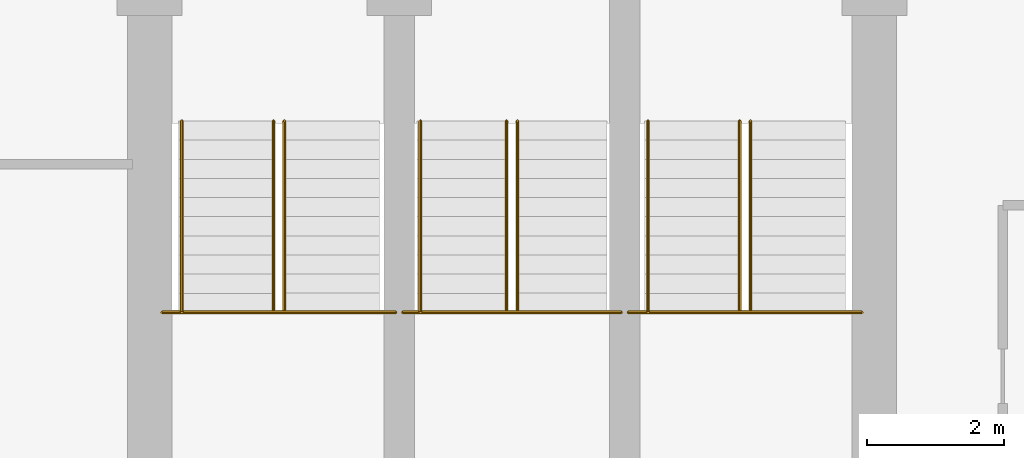
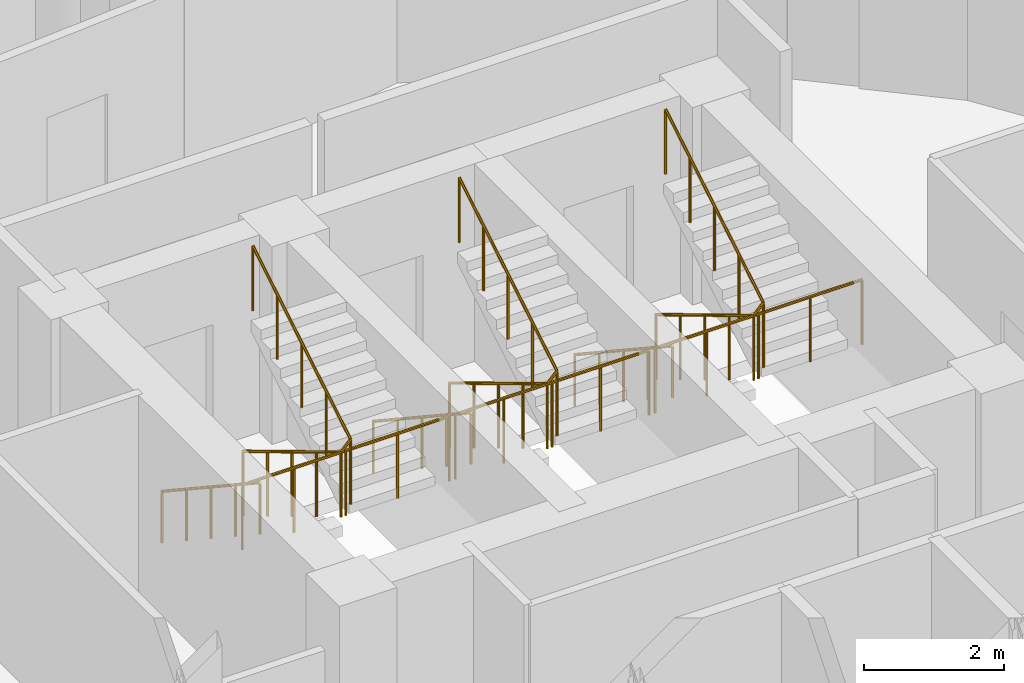
# One storey, part 26 of 26: 9 railings.
"""IFC4 building model written with IfcOpenShell, lengths in metres."""

from ifc_helpers import new_model, si_unit, direction, frame, origin, place, context, subcontext, project, spatial, polyline, outline, extrude, material, type_object, element, save


model = new_model("IFC4")

# Units and contexts
model_context = context("Model", 3, precision=1e-05, world=origin(), true_north=direction((0.0, 1.0)))
body_context = subcontext(model_context, "Body", "Model", "MODEL_VIEW")
ifc_project = project(units=[si_unit("LENGTHUNIT", "METRE"), si_unit("AREAUNIT", "SQUARE_METRE"), si_unit("VOLUMEUNIT", "CUBIC_METRE"), si_unit("PLANEANGLEUNIT", "RADIAN"), si_unit("MASSUNIT", "GRAM", prefix="KILO")], contexts=[model_context])

# Site, building, storey
site_placement = place(None, origin())
site = spatial("IfcSite", under=ifc_project, at=site_placement, CompositionType="ELEMENT")
building_placement = place(site_placement, origin())
building = spatial("IfcBuilding", under=site, at=building_placement, Name="Nuhasar Tower", CompositionType="ELEMENT")
storey_placement = place(building_placement, frame((0.0, 0.0, 151.550048828125)))
storey = spatial("IfcBuildingStorey", under=building, at=storey_placement, Name="L36", CompositionType="ELEMENT", Elevation=151.550048828125)

# Railings
ifc_material_1 = material(Name="Steel S355", Category="steel")
railing_type_1 = type_object("IfcRailingType", Name="RLG-STAIR-GUARD-1150", PredefinedType="GUARDRAIL", material=ifc_material_1)
railing_1_placement = place(storey_placement, frame((33.8798828125, 32.485107421875, 1.849853515625)))
element("IfcRailing", 1, at=railing_1_placement, inside=storey, type_object=railing_type_1, Name="L36 Stair ST-01 Guardrail LND", PredefinedType="GUARDRAIL", context=body_context, shape_type="SweptSolid", body=[
    extrude(outline(polyline([(0.024169921875, 0.0), (0.01708984375, 0.01708984375), (0.0, 0.024169921875), (-0.01708984375, 0.01708984375), (-0.024169921875, 0.0), (-0.01708984375, -0.01708984375), (0.0, -0.024169921875), (0.01708984375, -0.01708984375), (0.024169921875, 0.0)])), frame((0.0, 0.0, 1.1259765625), z_axis=(1.0, 0.0, 0.0), x_axis=(0.0, 1.0, 0.0)), (0.0, 0.0, 1.0), 3.420166015625),
    extrude(outline(polyline([(0.02099609375, 0.0), (0.014892578125, 0.014892578125), (0.0, 0.02099609375), (-0.014892578125, 0.014892578125), (-0.02099609375, 0.0), (-0.014892578125, -0.014892578125), (0.0, -0.02099609375), (0.014892578125, -0.014892578125), (0.02099609375, 0.0)])), origin(), (0.0, 0.0, 1.0), 1.101806640625),
    extrude(outline(polyline([(0.02099609375, 0.0), (0.014892578125, 0.014892578125), (0.0, 0.02099609375), (-0.014892578125, 0.014892578125), (-0.02099609375, 0.0), (-0.014892578125, -0.014892578125), (0.0, -0.02099609375), (0.014892578125, -0.014892578125), (0.02099609375, 0.0)])), frame((0.85498046875, 0.0, 0.0)), (0.0, 0.0, 1.0), 1.101806640625),
    extrude(outline(polyline([(0.02099609375, 0.0), (0.014892578125, 0.014892578125), (0.0, 0.02099609375), (-0.014892578125, 0.014892578125), (-0.02099609375, 0.0), (-0.014892578125, -0.014892578125), (0.0, -0.02099609375), (0.014892578125, -0.014892578125), (0.02099609375, 0.0)])), frame((1.7099609375, 0.0, 0.0)), (0.0, 0.0, 1.0), 1.101806640625),
    extrude(outline(polyline([(0.02099609375, 0.0), (0.014892578125, 0.014892578125), (0.0, 0.02099609375), (-0.014892578125, 0.014892578125), (-0.02099609375, 0.0), (-0.014892578125, -0.014892578125), (0.0, -0.02099609375), (0.014892578125, -0.014892578125), (0.02099609375, 0.0)])), frame((2.565185546875, 0.0, 0.0)), (0.0, 0.0, 1.0), 1.101806640625),
    extrude(outline(polyline([(0.02099609375, 0.0), (0.014892578125, 0.014892578125), (0.0, 0.02099609375), (-0.014892578125, 0.014892578125), (-0.02099609375, 0.0), (-0.014892578125, -0.014892578125), (0.0, -0.02099609375), (0.014892578125, -0.014892578125), (0.02099609375, 0.0)])), frame((3.420166015625, 0.0, 0.0)), (0.0, 0.0, 1.0), 1.101806640625),
])
railing_2_placement = place(storey_placement, frame((35.510009765625, 35.284912109375, 0.16796875)))
element("IfcRailing", 2, at=railing_2_placement, inside=storey, type_object=railing_type_1, Name="L36 Stair ST-01 Guardrail SLT", PredefinedType="GUARDRAIL", context=body_context, shape_type="SweptSolid", body=[
    extrude(outline(polyline([(0.024169921875, 0.0), (0.01708984375, 0.01708984375), (0.0, 0.024169921875), (-0.01708984375, 0.01708984375), (-0.024169921875, 0.0), (-0.01708984375, -0.01708984375), (0.0, -0.024169921875), (0.01708984375, -0.01708984375), (0.024169921875, 0.0)])), frame((0.0, 0.0, 1.1259765625), z_axis=(0.0, -0.857222391501, 0.514946377315), x_axis=(1.0, 0.0, 0.0)), (0.0, 0.0, 1.0), 3.26611328125),
    extrude(outline(polyline([(0.024169921875, 0.0), (0.01708984375, 0.01708984375), (0.0, 0.024169921875), (-0.01708984375, 0.01708984375), (-0.024169921875, 0.0), (-0.01708984375, -0.01708984375), (0.0, -0.024169921875), (0.01708984375, -0.01708984375), (0.024169921875, 0.0)])), frame((0.0, -2.7998046875, 2.8076171875), z_axis=(0.688998229536, 0.0, 0.72476302313), x_axis=(0.0, 1.0, 0.0)), (0.0, 0.0, 1.0), 0.232177734375),
    extrude(outline(polyline([(0.024169921875, 0.0), (0.01708984375, 0.01708984375), (0.0, 0.024169921875), (-0.01708984375, 0.01708984375), (-0.024169921875, 0.0), (-0.01708984375, -0.01708984375), (0.0, -0.024169921875), (0.01708984375, -0.01708984375), (0.024169921875, 0.0)])), frame((0.159912109375, -2.7998046875, 2.97607421875), z_axis=(0.0, 0.857222391501, 0.514946377315), x_axis=(-1.0, 0.0, 0.0)), (0.0, 0.0, 1.0), 3.26611328125),
    extrude(outline(polyline([(0.02099609375, 0.0), (0.014892578125, 0.014892578125), (0.0, 0.02099609375), (-0.014892578125, 0.014892578125), (-0.02099609375, 0.0), (-0.014892578125, -0.014892578125), (0.0, -0.02099609375), (0.014892578125, -0.014892578125), (0.02099609375, 0.0)])), origin(), (0.0, 0.0, 1.0), 1.101806640625),
    extrude(outline(polyline([(0.02099609375, 0.0), (0.014892578125, 0.014892578125), (0.0, 0.02099609375), (-0.014892578125, 0.014892578125), (-0.02099609375, 0.0), (-0.014892578125, -0.014892578125), (0.0, -0.02099609375), (0.014892578125, -0.014892578125), (0.02099609375, 0.0)])), frame((0.0, -0.699951171875, 0.42041015625)), (0.0, 0.0, 1.0), 1.101806640625),
    extrude(outline(polyline([(0.02099609375, 0.0), (0.014892578125, 0.014892578125), (0.0, 0.02099609375), (-0.014892578125, 0.014892578125), (-0.02099609375, 0.0), (-0.014892578125, -0.014892578125), (0.0, -0.02099609375), (0.014892578125, -0.014892578125), (0.02099609375, 0.0)])), frame((0.0, -1.39990234375, 0.8408203125)), (0.0, 0.0, 1.0), 1.101806640625),
    extrude(outline(polyline([(0.02099609375, 0.0), (0.014892578125, 0.014892578125), (0.0, 0.02099609375), (-0.014892578125, 0.014892578125), (-0.02099609375, 0.0), (-0.014892578125, -0.014892578125), (0.0, -0.02099609375), (0.014892578125, -0.014892578125), (0.02099609375, 0.0)])), frame((0.0, -2.099853515625, 1.261474609375)), (0.0, 0.0, 1.0), 1.101806640625),
    extrude(outline(polyline([(0.02099609375, 0.0), (0.014892578125, 0.014892578125), (0.0, 0.02099609375), (-0.014892578125, 0.014892578125), (-0.02099609375, 0.0), (-0.014892578125, -0.014892578125), (0.0, -0.02099609375), (0.014892578125, -0.014892578125), (0.02099609375, 0.0)])), frame((0.0, -2.7998046875, 1.681884765625)), (0.0, 0.0, 1.0), 1.101806640625),
    extrude(outline(polyline([(0.02099609375, 0.0), (0.014892578125, 0.014892578125), (0.0, 0.02099609375), (-0.014892578125, 0.014892578125), (-0.02099609375, 0.0), (-0.014892578125, -0.014892578125), (0.0, -0.02099609375), (0.014892578125, -0.014892578125), (0.02099609375, 0.0)])), frame((0.159912109375, -2.7998046875, 1.85009765625)), (0.0, 0.0, 1.0), 1.101806640625),
    extrude(outline(polyline([(0.02099609375, 0.0), (0.014892578125, 0.014892578125), (0.0, 0.02099609375), (-0.014892578125, 0.014892578125), (-0.02099609375, 0.0), (-0.014892578125, -0.014892578125), (0.0, -0.02099609375), (0.014892578125, -0.014892578125), (0.02099609375, 0.0)])), frame((0.159912109375, -2.099853515625, 2.2705078125)), (0.0, 0.0, 1.0), 1.101806640625),
    extrude(outline(polyline([(0.02099609375, 0.0), (0.014892578125, 0.014892578125), (0.0, 0.02099609375), (-0.014892578125, 0.014892578125), (-0.02099609375, 0.0), (-0.014892578125, -0.014892578125), (0.0, -0.02099609375), (0.014892578125, -0.014892578125), (0.02099609375, 0.0)])), frame((0.159912109375, -1.39990234375, 2.69091796875)), (0.0, 0.0, 1.0), 1.101806640625),
    extrude(outline(polyline([(0.02099609375, 0.0), (0.014892578125, 0.014892578125), (0.0, 0.02099609375), (-0.014892578125, 0.014892578125), (-0.02099609375, 0.0), (-0.014892578125, -0.014892578125), (0.0, -0.02099609375), (0.014892578125, -0.014892578125), (0.02099609375, 0.0)])), frame((0.159912109375, -0.699951171875, 3.111572265625)), (0.0, 0.0, 1.0), 1.101806640625),
    extrude(outline(polyline([(0.02099609375, 0.0), (0.014892578125, 0.014892578125), (0.0, 0.02099609375), (-0.014892578125, 0.014892578125), (-0.02099609375, 0.0), (-0.014892578125, -0.014892578125), (0.0, -0.02099609375), (0.014892578125, -0.014892578125), (0.02099609375, 0.0)])), frame((0.159912109375, 0.0, 3.531982421875)), (0.0, 0.0, 1.0), 1.101806640625),
])
railing_3_placement = place(storey_placement, frame((37.39990234375, 32.485107421875, 1.849853515625)))
element("IfcRailing", 3, at=railing_3_placement, inside=storey, type_object=railing_type_1, Name="L36 Stair ST-03 Guardrail LND", PredefinedType="GUARDRAIL", context=body_context, shape_type="SweptSolid", body=[
    extrude(outline(polyline([(0.024169921875, 0.0), (0.01708984375, 0.01708984375), (0.0, 0.024169921875), (-0.01708984375, 0.01708984375), (-0.024169921875, 0.0), (-0.01708984375, -0.01708984375), (0.0, -0.024169921875), (0.01708984375, -0.01708984375), (0.024169921875, 0.0)])), frame((0.0, 0.0, 1.1259765625), z_axis=(1.0, 0.0, 0.0), x_axis=(0.0, 1.0, 0.0)), (0.0, 0.0, 1.0), 3.2001953125),
    extrude(outline(polyline([(0.02099609375, 0.0), (0.014892578125, 0.014892578125), (0.0, 0.02099609375), (-0.014892578125, 0.014892578125), (-0.02099609375, 0.0), (-0.014892578125, -0.014892578125), (0.0, -0.02099609375), (0.014892578125, -0.014892578125), (0.02099609375, 0.0)])), origin(), (0.0, 0.0, 1.0), 1.101806640625),
    extrude(outline(polyline([(0.02099609375, 0.0), (0.014892578125, 0.014892578125), (0.0, 0.02099609375), (-0.014892578125, 0.014892578125), (-0.02099609375, 0.0), (-0.014892578125, -0.014892578125), (0.0, -0.02099609375), (0.014892578125, -0.014892578125), (0.02099609375, 0.0)])), frame((0.800048828125, 0.0, 0.0)), (0.0, 0.0, 1.0), 1.101806640625),
    extrude(outline(polyline([(0.02099609375, 0.0), (0.014892578125, 0.014892578125), (0.0, 0.02099609375), (-0.014892578125, 0.014892578125), (-0.02099609375, 0.0), (-0.014892578125, -0.014892578125), (0.0, -0.02099609375), (0.014892578125, -0.014892578125), (0.02099609375, 0.0)])), frame((1.60009765625, 0.0, 0.0)), (0.0, 0.0, 1.0), 1.101806640625),
    extrude(outline(polyline([(0.02099609375, 0.0), (0.014892578125, 0.014892578125), (0.0, 0.02099609375), (-0.014892578125, 0.014892578125), (-0.02099609375, 0.0), (-0.014892578125, -0.014892578125), (0.0, -0.02099609375), (0.014892578125, -0.014892578125), (0.02099609375, 0.0)])), frame((2.400146484375, 0.0, 0.0)), (0.0, 0.0, 1.0), 1.101806640625),
    extrude(outline(polyline([(0.02099609375, 0.0), (0.014892578125, 0.014892578125), (0.0, 0.02099609375), (-0.014892578125, 0.014892578125), (-0.02099609375, 0.0), (-0.014892578125, -0.014892578125), (0.0, -0.02099609375), (0.014892578125, -0.014892578125), (0.02099609375, 0.0)])), frame((3.2001953125, 0.0, 0.0)), (0.0, 0.0, 1.0), 1.101806640625),
])
railing_4_placement = place(storey_placement, frame((38.919921875, 35.284912109375, 0.16796875)))
element("IfcRailing", 4, at=railing_4_placement, inside=storey, type_object=railing_type_1, Name="L36 Stair ST-03 Guardrail SLT", PredefinedType="GUARDRAIL", context=body_context, shape_type="SweptSolid", body=[
    extrude(outline(polyline([(0.024169921875, 0.0), (0.01708984375, 0.01708984375), (0.0, 0.024169921875), (-0.01708984375, 0.01708984375), (-0.024169921875, 0.0), (-0.01708984375, -0.01708984375), (0.0, -0.024169921875), (0.01708984375, -0.01708984375), (0.024169921875, 0.0)])), frame((0.0, 0.0, 1.1259765625), z_axis=(0.0, -0.857222391501, 0.514946377315), x_axis=(1.0, 0.0, 0.0)), (0.0, 0.0, 1.0), 3.26611328125),
    extrude(outline(polyline([(0.024169921875, 0.0), (0.01708984375, 0.01708984375), (0.0, 0.024169921875), (-0.01708984375, 0.01708984375), (-0.024169921875, 0.0), (-0.01708984375, -0.01708984375), (0.0, -0.024169921875), (0.01708984375, -0.01708984375), (0.024169921875, 0.0)])), frame((0.0, -2.7998046875, 2.8076171875), z_axis=(0.689550175797, 0.0, 0.724237913298), x_axis=(0.0, 1.0, 0.0)), (0.0, 0.0, 1.0), 0.232177734375),
    extrude(outline(polyline([(0.024169921875, 0.0), (0.01708984375, 0.01708984375), (0.0, 0.024169921875), (-0.01708984375, 0.01708984375), (-0.024169921875, 0.0), (-0.01708984375, -0.01708984375), (0.0, -0.024169921875), (0.01708984375, -0.01708984375), (0.024169921875, 0.0)])), frame((0.16015625, -2.7998046875, 2.97607421875), z_axis=(0.0, 0.857222391501, 0.514946377315), x_axis=(-1.0, 0.0, 0.0)), (0.0, 0.0, 1.0), 3.26611328125),
    extrude(outline(polyline([(0.02099609375, 0.0), (0.014892578125, 0.014892578125), (0.0, 0.02099609375), (-0.014892578125, 0.014892578125), (-0.02099609375, 0.0), (-0.014892578125, -0.014892578125), (0.0, -0.02099609375), (0.014892578125, -0.014892578125), (0.02099609375, 0.0)])), origin(), (0.0, 0.0, 1.0), 1.101806640625),
    extrude(outline(polyline([(0.02099609375, 0.0), (0.014892578125, 0.014892578125), (0.0, 0.02099609375), (-0.014892578125, 0.014892578125), (-0.02099609375, 0.0), (-0.014892578125, -0.014892578125), (0.0, -0.02099609375), (0.014892578125, -0.014892578125), (0.02099609375, 0.0)])), frame((0.0, -0.699951171875, 0.42041015625)), (0.0, 0.0, 1.0), 1.101806640625),
    extrude(outline(polyline([(0.02099609375, 0.0), (0.014892578125, 0.014892578125), (0.0, 0.02099609375), (-0.014892578125, 0.014892578125), (-0.02099609375, 0.0), (-0.014892578125, -0.014892578125), (0.0, -0.02099609375), (0.014892578125, -0.014892578125), (0.02099609375, 0.0)])), frame((0.0, -1.39990234375, 0.8408203125)), (0.0, 0.0, 1.0), 1.101806640625),
    extrude(outline(polyline([(0.02099609375, 0.0), (0.014892578125, 0.014892578125), (0.0, 0.02099609375), (-0.014892578125, 0.014892578125), (-0.02099609375, 0.0), (-0.014892578125, -0.014892578125), (0.0, -0.02099609375), (0.014892578125, -0.014892578125), (0.02099609375, 0.0)])), frame((0.0, -2.099853515625, 1.261474609375)), (0.0, 0.0, 1.0), 1.101806640625),
    extrude(outline(polyline([(0.02099609375, 0.0), (0.014892578125, 0.014892578125), (0.0, 0.02099609375), (-0.014892578125, 0.014892578125), (-0.02099609375, 0.0), (-0.014892578125, -0.014892578125), (0.0, -0.02099609375), (0.014892578125, -0.014892578125), (0.02099609375, 0.0)])), frame((0.0, -2.7998046875, 1.681884765625)), (0.0, 0.0, 1.0), 1.101806640625),
    extrude(outline(polyline([(0.02099609375, 0.0), (0.014892578125, 0.014892578125), (0.0, 0.02099609375), (-0.014892578125, 0.014892578125), (-0.02099609375, 0.0), (-0.014892578125, -0.014892578125), (0.0, -0.02099609375), (0.014892578125, -0.014892578125), (0.02099609375, 0.0)])), frame((0.16015625, -2.7998046875, 1.85009765625)), (0.0, 0.0, 1.0), 1.101806640625),
    extrude(outline(polyline([(0.02099609375, 0.0), (0.014892578125, 0.014892578125), (0.0, 0.02099609375), (-0.014892578125, 0.014892578125), (-0.02099609375, 0.0), (-0.014892578125, -0.014892578125), (0.0, -0.02099609375), (0.014892578125, -0.014892578125), (0.02099609375, 0.0)])), frame((0.16015625, -2.099853515625, 2.2705078125)), (0.0, 0.0, 1.0), 1.101806640625),
    extrude(outline(polyline([(0.02099609375, 0.0), (0.014892578125, 0.014892578125), (0.0, 0.02099609375), (-0.014892578125, 0.014892578125), (-0.02099609375, 0.0), (-0.014892578125, -0.014892578125), (0.0, -0.02099609375), (0.014892578125, -0.014892578125), (0.02099609375, 0.0)])), frame((0.16015625, -1.39990234375, 2.69091796875)), (0.0, 0.0, 1.0), 1.101806640625),
    extrude(outline(polyline([(0.02099609375, 0.0), (0.014892578125, 0.014892578125), (0.0, 0.02099609375), (-0.014892578125, 0.014892578125), (-0.02099609375, 0.0), (-0.014892578125, -0.014892578125), (0.0, -0.02099609375), (0.014892578125, -0.014892578125), (0.02099609375, 0.0)])), frame((0.16015625, -0.699951171875, 3.111572265625)), (0.0, 0.0, 1.0), 1.101806640625),
    extrude(outline(polyline([(0.02099609375, 0.0), (0.014892578125, 0.014892578125), (0.0, 0.02099609375), (-0.014892578125, 0.014892578125), (-0.02099609375, 0.0), (-0.014892578125, -0.014892578125), (0.0, -0.02099609375), (0.014892578125, -0.014892578125), (0.02099609375, 0.0)])), frame((0.16015625, 0.0, 3.531982421875)), (0.0, 0.0, 1.0), 1.101806640625),
])
railing_5_placement = place(storey_placement, frame((40.699951171875, 32.485107421875, 1.849853515625)))
element("IfcRailing", 5, at=railing_5_placement, inside=storey, type_object=railing_type_1, Name="L36 Stair ST-02 Guardrail LND", PredefinedType="GUARDRAIL", context=body_context, shape_type="SweptSolid", body=[
    extrude(outline(polyline([(0.024169921875, 0.0), (0.01708984375, 0.01708984375), (0.0, 0.024169921875), (-0.01708984375, 0.01708984375), (-0.024169921875, 0.0), (-0.01708984375, -0.01708984375), (0.0, -0.024169921875), (0.01708984375, -0.01708984375), (0.024169921875, 0.0)])), frame((0.0, 0.0, 1.1259765625), z_axis=(1.0, 0.0, 0.0), x_axis=(0.0, 1.0, 0.0)), (0.0, 0.0, 1.0), 3.420166015625),
    extrude(outline(polyline([(0.02099609375, 0.0), (0.014892578125, 0.014892578125), (0.0, 0.02099609375), (-0.014892578125, 0.014892578125), (-0.02099609375, 0.0), (-0.014892578125, -0.014892578125), (0.0, -0.02099609375), (0.014892578125, -0.014892578125), (0.02099609375, 0.0)])), origin(), (0.0, 0.0, 1.0), 1.101806640625),
    extrude(outline(polyline([(0.02099609375, 0.0), (0.014892578125, 0.014892578125), (0.0, 0.02099609375), (-0.014892578125, 0.014892578125), (-0.02099609375, 0.0), (-0.014892578125, -0.014892578125), (0.0, -0.02099609375), (0.014892578125, -0.014892578125), (0.02099609375, 0.0)])), frame((0.85498046875, 0.0, 0.0)), (0.0, 0.0, 1.0), 1.101806640625),
    extrude(outline(polyline([(0.02099609375, 0.0), (0.014892578125, 0.014892578125), (0.0, 0.02099609375), (-0.014892578125, 0.014892578125), (-0.02099609375, 0.0), (-0.014892578125, -0.014892578125), (0.0, -0.02099609375), (0.014892578125, -0.014892578125), (0.02099609375, 0.0)])), frame((1.7099609375, 0.0, 0.0)), (0.0, 0.0, 1.0), 1.101806640625),
    extrude(outline(polyline([(0.02099609375, 0.0), (0.014892578125, 0.014892578125), (0.0, 0.02099609375), (-0.014892578125, 0.014892578125), (-0.02099609375, 0.0), (-0.014892578125, -0.014892578125), (0.0, -0.02099609375), (0.014892578125, -0.014892578125), (0.02099609375, 0.0)])), frame((2.565185546875, 0.0, 0.0)), (0.0, 0.0, 1.0), 1.101806640625),
    extrude(outline(polyline([(0.02099609375, 0.0), (0.014892578125, 0.014892578125), (0.0, 0.02099609375), (-0.014892578125, 0.014892578125), (-0.02099609375, 0.0), (-0.014892578125, -0.014892578125), (0.0, -0.02099609375), (0.014892578125, -0.014892578125), (0.02099609375, 0.0)])), frame((3.420166015625, 0.0, 0.0)), (0.0, 0.0, 1.0), 1.101806640625),
])
railing_6_placement = place(storey_placement, frame((42.330078125, 35.284912109375, 0.16796875)))
element("IfcRailing", 6, at=railing_6_placement, inside=storey, type_object=railing_type_1, Name="L36 Stair ST-02 Guardrail SLT", PredefinedType="GUARDRAIL", context=body_context, shape_type="SweptSolid", body=[
    extrude(outline(polyline([(0.024169921875, 0.0), (0.01708984375, 0.01708984375), (0.0, 0.024169921875), (-0.01708984375, 0.01708984375), (-0.024169921875, 0.0), (-0.01708984375, -0.01708984375), (0.0, -0.024169921875), (0.01708984375, -0.01708984375), (0.024169921875, 0.0)])), frame((0.0, 0.0, 1.1259765625), z_axis=(0.0, -0.857222391501, 0.514946377315), x_axis=(1.0, 0.0, 0.0)), (0.0, 0.0, 1.0), 3.26611328125),
    extrude(outline(polyline([(0.024169921875, 0.0), (0.01708984375, 0.01708984375), (0.0, 0.024169921875), (-0.01708984375, 0.01708984375), (-0.024169921875, 0.0), (-0.01708984375, -0.01708984375), (0.0, -0.024169921875), (0.01708984375, -0.01708984375), (0.024169921875, 0.0)])), frame((0.0, -2.7998046875, 2.8076171875), z_axis=(0.688998229536, 0.0, 0.72476302313), x_axis=(0.0, 1.0, 0.0)), (0.0, 0.0, 1.0), 0.232177734375),
    extrude(outline(polyline([(0.024169921875, 0.0), (0.01708984375, 0.01708984375), (0.0, 0.024169921875), (-0.01708984375, 0.01708984375), (-0.024169921875, 0.0), (-0.01708984375, -0.01708984375), (0.0, -0.024169921875), (0.01708984375, -0.01708984375), (0.024169921875, 0.0)])), frame((0.159912109375, -2.7998046875, 2.97607421875), z_axis=(0.0, 0.857222391501, 0.514946377315), x_axis=(-1.0, 0.0, 0.0)), (0.0, 0.0, 1.0), 3.26611328125),
    extrude(outline(polyline([(0.02099609375, 0.0), (0.014892578125, 0.014892578125), (0.0, 0.02099609375), (-0.014892578125, 0.014892578125), (-0.02099609375, 0.0), (-0.014892578125, -0.014892578125), (0.0, -0.02099609375), (0.014892578125, -0.014892578125), (0.02099609375, 0.0)])), origin(), (0.0, 0.0, 1.0), 1.101806640625),
    extrude(outline(polyline([(0.02099609375, 0.0), (0.014892578125, 0.014892578125), (0.0, 0.02099609375), (-0.014892578125, 0.014892578125), (-0.02099609375, 0.0), (-0.014892578125, -0.014892578125), (0.0, -0.02099609375), (0.014892578125, -0.014892578125), (0.02099609375, 0.0)])), frame((0.0, -0.699951171875, 0.42041015625)), (0.0, 0.0, 1.0), 1.101806640625),
    extrude(outline(polyline([(0.02099609375, 0.0), (0.014892578125, 0.014892578125), (0.0, 0.02099609375), (-0.014892578125, 0.014892578125), (-0.02099609375, 0.0), (-0.014892578125, -0.014892578125), (0.0, -0.02099609375), (0.014892578125, -0.014892578125), (0.02099609375, 0.0)])), frame((0.0, -1.39990234375, 0.8408203125)), (0.0, 0.0, 1.0), 1.101806640625),
    extrude(outline(polyline([(0.02099609375, 0.0), (0.014892578125, 0.014892578125), (0.0, 0.02099609375), (-0.014892578125, 0.014892578125), (-0.02099609375, 0.0), (-0.014892578125, -0.014892578125), (0.0, -0.02099609375), (0.014892578125, -0.014892578125), (0.02099609375, 0.0)])), frame((0.0, -2.099853515625, 1.261474609375)), (0.0, 0.0, 1.0), 1.101806640625),
    extrude(outline(polyline([(0.02099609375, 0.0), (0.014892578125, 0.014892578125), (0.0, 0.02099609375), (-0.014892578125, 0.014892578125), (-0.02099609375, 0.0), (-0.014892578125, -0.014892578125), (0.0, -0.02099609375), (0.014892578125, -0.014892578125), (0.02099609375, 0.0)])), frame((0.0, -2.7998046875, 1.681884765625)), (0.0, 0.0, 1.0), 1.101806640625),
    extrude(outline(polyline([(0.02099609375, 0.0), (0.014892578125, 0.014892578125), (0.0, 0.02099609375), (-0.014892578125, 0.014892578125), (-0.02099609375, 0.0), (-0.014892578125, -0.014892578125), (0.0, -0.02099609375), (0.014892578125, -0.014892578125), (0.02099609375, 0.0)])), frame((0.159912109375, -2.7998046875, 1.85009765625)), (0.0, 0.0, 1.0), 1.101806640625),
    extrude(outline(polyline([(0.02099609375, 0.0), (0.014892578125, 0.014892578125), (0.0, 0.02099609375), (-0.014892578125, 0.014892578125), (-0.02099609375, 0.0), (-0.014892578125, -0.014892578125), (0.0, -0.02099609375), (0.014892578125, -0.014892578125), (0.02099609375, 0.0)])), frame((0.159912109375, -2.099853515625, 2.2705078125)), (0.0, 0.0, 1.0), 1.101806640625),
    extrude(outline(polyline([(0.02099609375, 0.0), (0.014892578125, 0.014892578125), (0.0, 0.02099609375), (-0.014892578125, 0.014892578125), (-0.02099609375, 0.0), (-0.014892578125, -0.014892578125), (0.0, -0.02099609375), (0.014892578125, -0.014892578125), (0.02099609375, 0.0)])), frame((0.159912109375, -1.39990234375, 2.69091796875)), (0.0, 0.0, 1.0), 1.101806640625),
    extrude(outline(polyline([(0.02099609375, 0.0), (0.014892578125, 0.014892578125), (0.0, 0.02099609375), (-0.014892578125, 0.014892578125), (-0.02099609375, 0.0), (-0.014892578125, -0.014892578125), (0.0, -0.02099609375), (0.014892578125, -0.014892578125), (0.02099609375, 0.0)])), frame((0.159912109375, -0.699951171875, 3.111572265625)), (0.0, 0.0, 1.0), 1.101806640625),
    extrude(outline(polyline([(0.02099609375, 0.0), (0.014892578125, 0.014892578125), (0.0, 0.02099609375), (-0.014892578125, 0.014892578125), (-0.02099609375, 0.0), (-0.014892578125, -0.014892578125), (0.0, -0.02099609375), (0.014892578125, -0.014892578125), (0.02099609375, 0.0)])), frame((0.159912109375, 0.0, 3.531982421875)), (0.0, 0.0, 1.0), 1.101806640625),
])
ifc_material_2 = material(Name="Stainless Steel 316L", Category="steel")
railing_type_2 = type_object("IfcRailingType", Name="RLG-STAIR-HAND-920", PredefinedType="HANDRAIL", material=ifc_material_2)
railing_7_placement = place(storey_placement, frame((34.169921875, 35.284912109375, 0.16796875)))
element("IfcRailing", 7, at=railing_7_placement, inside=storey, type_object=railing_type_2, Name="L36 Stair ST-01 Handrail HND1", PredefinedType="HANDRAIL", context=body_context, shape_type="SweptSolid", body=[
    extrude(outline(polyline([(0.024169921875, 0.0), (0.01708984375, 0.01708984375), (0.0, 0.024169921875), (-0.01708984375, 0.01708984375), (-0.024169921875, 0.0), (-0.01708984375, -0.01708984375), (0.0, -0.024169921875), (0.01708984375, -0.01708984375), (0.024169921875, 0.0)])), frame((0.0, 0.0, 0.89599609375), z_axis=(0.0, -0.834304248922, 0.551304290053), x_axis=(1.0, 0.0, 0.0)), (0.0, 0.0, 1.0), 3.35595703125),
    extrude(outline(polyline([(0.02099609375, 0.0), (0.014892578125, 0.014892578125), (0.0, 0.02099609375), (-0.014892578125, 0.014892578125), (-0.02099609375, 0.0), (-0.014892578125, -0.014892578125), (0.0, -0.02099609375), (0.014892578125, -0.014892578125), (0.02099609375, 0.0)])), origin(), (0.0, 0.0, 1.0), 0.871826171875),
    extrude(outline(polyline([(0.02099609375, 0.0), (0.014892578125, 0.014892578125), (0.0, 0.02099609375), (-0.014892578125, 0.014892578125), (-0.02099609375, 0.0), (-0.014892578125, -0.014892578125), (0.0, -0.02099609375), (0.014892578125, -0.014892578125), (0.02099609375, 0.0)])), frame((0.0, -0.699951171875, 0.46240234375)), (0.0, 0.0, 1.0), 0.871826171875),
    extrude(outline(polyline([(0.02099609375, 0.0), (0.014892578125, 0.014892578125), (0.0, 0.02099609375), (-0.014892578125, 0.014892578125), (-0.02099609375, 0.0), (-0.014892578125, -0.014892578125), (0.0, -0.02099609375), (0.014892578125, -0.014892578125), (0.02099609375, 0.0)])), frame((0.0, -1.39990234375, 0.925048828125)), (0.0, 0.0, 1.0), 0.871826171875),
    extrude(outline(polyline([(0.02099609375, 0.0), (0.014892578125, 0.014892578125), (0.0, 0.02099609375), (-0.014892578125, 0.014892578125), (-0.02099609375, 0.0), (-0.014892578125, -0.014892578125), (0.0, -0.02099609375), (0.014892578125, -0.014892578125), (0.02099609375, 0.0)])), frame((0.0, -2.099853515625, 1.3876953125)), (0.0, 0.0, 1.0), 0.871826171875),
    extrude(outline(polyline([(0.02099609375, 0.0), (0.014892578125, 0.014892578125), (0.0, 0.02099609375), (-0.014892578125, 0.014892578125), (-0.02099609375, 0.0), (-0.014892578125, -0.014892578125), (0.0, -0.02099609375), (0.014892578125, -0.014892578125), (0.02099609375, 0.0)])), frame((0.0, -2.7998046875, 1.85009765625)), (0.0, 0.0, 1.0), 0.871826171875),
])
railing_8_placement = place(storey_placement, frame((37.659912109375, 35.284912109375, 0.16796875)))
element("IfcRailing", 8, at=railing_8_placement, inside=storey, type_object=railing_type_2, Name="L36 Stair ST-03 Handrail HND1", PredefinedType="HANDRAIL", context=body_context, shape_type="SweptSolid", body=[
    extrude(outline(polyline([(0.024169921875, 0.0), (0.01708984375, 0.01708984375), (0.0, 0.024169921875), (-0.01708984375, 0.01708984375), (-0.024169921875, 0.0), (-0.01708984375, -0.01708984375), (0.0, -0.024169921875), (0.01708984375, -0.01708984375), (0.024169921875, 0.0)])), frame((0.0, 0.0, 0.89599609375), z_axis=(0.0, -0.834304248922, 0.551304290053), x_axis=(1.0, 0.0, 0.0)), (0.0, 0.0, 1.0), 3.35595703125),
    extrude(outline(polyline([(0.02099609375, 0.0), (0.014892578125, 0.014892578125), (0.0, 0.02099609375), (-0.014892578125, 0.014892578125), (-0.02099609375, 0.0), (-0.014892578125, -0.014892578125), (0.0, -0.02099609375), (0.014892578125, -0.014892578125), (0.02099609375, 0.0)])), origin(), (0.0, 0.0, 1.0), 0.871826171875),
    extrude(outline(polyline([(0.02099609375, 0.0), (0.014892578125, 0.014892578125), (0.0, 0.02099609375), (-0.014892578125, 0.014892578125), (-0.02099609375, 0.0), (-0.014892578125, -0.014892578125), (0.0, -0.02099609375), (0.014892578125, -0.014892578125), (0.02099609375, 0.0)])), frame((0.0, -0.699951171875, 0.46240234375)), (0.0, 0.0, 1.0), 0.871826171875),
    extrude(outline(polyline([(0.02099609375, 0.0), (0.014892578125, 0.014892578125), (0.0, 0.02099609375), (-0.014892578125, 0.014892578125), (-0.02099609375, 0.0), (-0.014892578125, -0.014892578125), (0.0, -0.02099609375), (0.014892578125, -0.014892578125), (0.02099609375, 0.0)])), frame((0.0, -1.39990234375, 0.925048828125)), (0.0, 0.0, 1.0), 0.871826171875),
    extrude(outline(polyline([(0.02099609375, 0.0), (0.014892578125, 0.014892578125), (0.0, 0.02099609375), (-0.014892578125, 0.014892578125), (-0.02099609375, 0.0), (-0.014892578125, -0.014892578125), (0.0, -0.02099609375), (0.014892578125, -0.014892578125), (0.02099609375, 0.0)])), frame((0.0, -2.099853515625, 1.3876953125)), (0.0, 0.0, 1.0), 0.871826171875),
    extrude(outline(polyline([(0.02099609375, 0.0), (0.014892578125, 0.014892578125), (0.0, 0.02099609375), (-0.014892578125, 0.014892578125), (-0.02099609375, 0.0), (-0.014892578125, -0.014892578125), (0.0, -0.02099609375), (0.014892578125, -0.014892578125), (0.02099609375, 0.0)])), frame((0.0, -2.7998046875, 1.85009765625)), (0.0, 0.0, 1.0), 0.871826171875),
])
railing_9_placement = place(storey_placement, frame((40.989990234375, 35.284912109375, 0.16796875)))
element("IfcRailing", 9, at=railing_9_placement, inside=storey, type_object=railing_type_2, Name="L36 Stair ST-02 Handrail HND1", PredefinedType="HANDRAIL", context=body_context, shape_type="SweptSolid", body=[
    extrude(outline(polyline([(0.024169921875, 0.0), (0.01708984375, 0.01708984375), (0.0, 0.024169921875), (-0.01708984375, 0.01708984375), (-0.024169921875, 0.0), (-0.01708984375, -0.01708984375), (0.0, -0.024169921875), (0.01708984375, -0.01708984375), (0.024169921875, 0.0)])), frame((0.0, 0.0, 0.89599609375), z_axis=(0.0, -0.834304248922, 0.551304290053), x_axis=(1.0, 0.0, 0.0)), (0.0, 0.0, 1.0), 3.35595703125),
    extrude(outline(polyline([(0.02099609375, 0.0), (0.014892578125, 0.014892578125), (0.0, 0.02099609375), (-0.014892578125, 0.014892578125), (-0.02099609375, 0.0), (-0.014892578125, -0.014892578125), (0.0, -0.02099609375), (0.014892578125, -0.014892578125), (0.02099609375, 0.0)])), origin(), (0.0, 0.0, 1.0), 0.871826171875),
    extrude(outline(polyline([(0.02099609375, 0.0), (0.014892578125, 0.014892578125), (0.0, 0.02099609375), (-0.014892578125, 0.014892578125), (-0.02099609375, 0.0), (-0.014892578125, -0.014892578125), (0.0, -0.02099609375), (0.014892578125, -0.014892578125), (0.02099609375, 0.0)])), frame((0.0, -0.699951171875, 0.46240234375)), (0.0, 0.0, 1.0), 0.871826171875),
    extrude(outline(polyline([(0.02099609375, 0.0), (0.014892578125, 0.014892578125), (0.0, 0.02099609375), (-0.014892578125, 0.014892578125), (-0.02099609375, 0.0), (-0.014892578125, -0.014892578125), (0.0, -0.02099609375), (0.014892578125, -0.014892578125), (0.02099609375, 0.0)])), frame((0.0, -1.39990234375, 0.925048828125)), (0.0, 0.0, 1.0), 0.871826171875),
    extrude(outline(polyline([(0.02099609375, 0.0), (0.014892578125, 0.014892578125), (0.0, 0.02099609375), (-0.014892578125, 0.014892578125), (-0.02099609375, 0.0), (-0.014892578125, -0.014892578125), (0.0, -0.02099609375), (0.014892578125, -0.014892578125), (0.02099609375, 0.0)])), frame((0.0, -2.099853515625, 1.3876953125)), (0.0, 0.0, 1.0), 0.871826171875),
    extrude(outline(polyline([(0.02099609375, 0.0), (0.014892578125, 0.014892578125), (0.0, 0.02099609375), (-0.014892578125, 0.014892578125), (-0.02099609375, 0.0), (-0.014892578125, -0.014892578125), (0.0, -0.02099609375), (0.014892578125, -0.014892578125), (0.02099609375, 0.0)])), frame((0.0, -2.7998046875, 1.85009765625)), (0.0, 0.0, 1.0), 0.871826171875),
])

save(model, "model.ifc")
